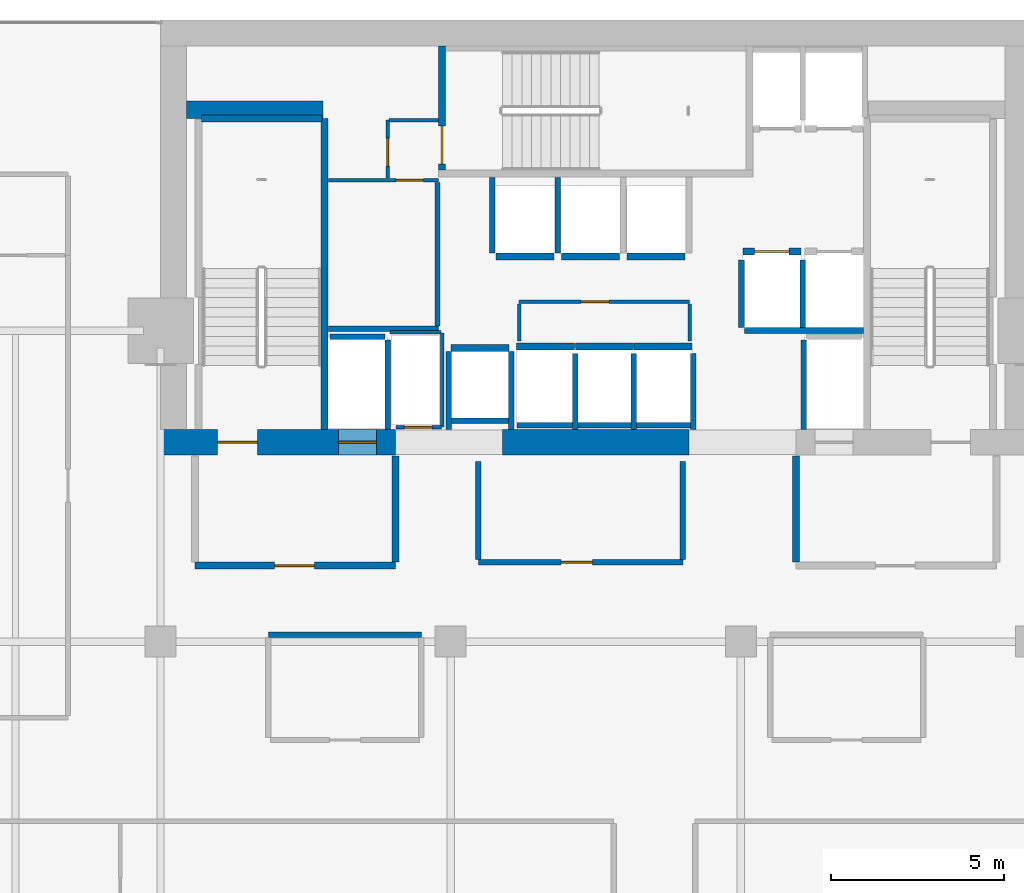
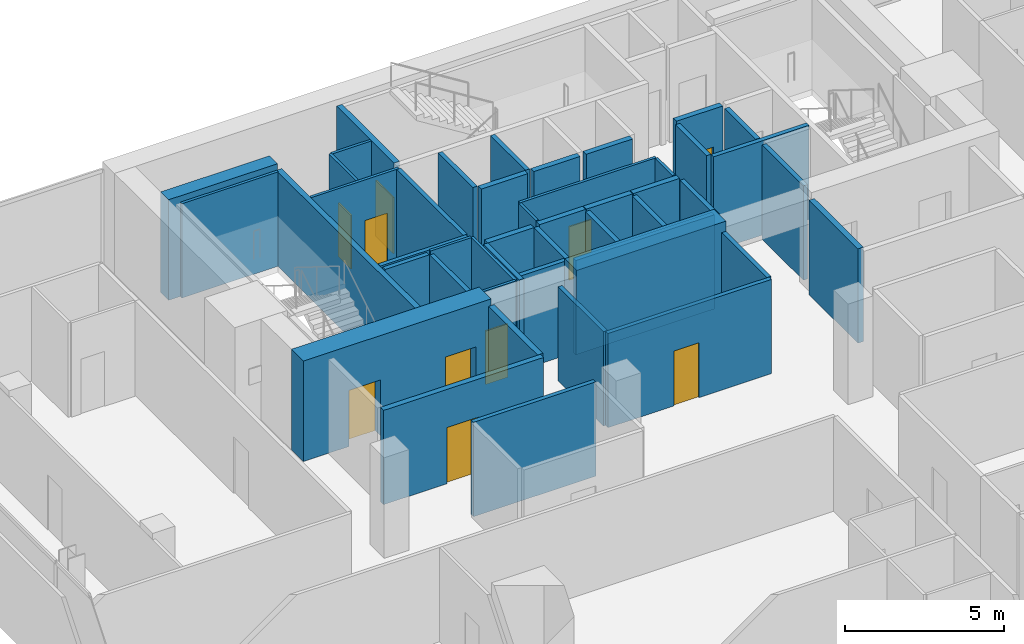
# One storey, part 29 of 33: 47 walls, 10 doors, 10 openings.
"""IFC4 building model written with IfcOpenShell, lengths in metres."""

import ifcopenshell
import ifcopenshell.guid

model = None  # the IFC model being written
_history = None  # IfcOwnerHistory: only IFC2X3 demands one
_inside = {}  # id of a spatial element -> (the spatial element, [elements in it])
_under = {}  # id of a project, library or spatial element -> (it, [spatial elements below it])
_declared = {}  # id of a project -> (the project, [libraries it declares])
_typed = {}  # id of a type object -> (the type object, [elements of that type])
_made_of = {}  # id of a material, layer set ... -> (it, [elements and type objects made of it])


def new_model(schema):
    """Start an empty IFC model of exactly this schema.

    Asked for "IFC4X3", IfcOpenShell would pick the latest addendum, in which some entities
    have other attributes; the version numbers below select the first issue.
    IFC2X3 requires an IfcOwnerHistory on every rooted entity: one is made here for all.
    """
    global model, _history
    if schema == "IFC4X3":
        model = ifcopenshell.file(schema_version=(4, 3, 0, 0))
    else:
        model = ifcopenshell.file(schema=schema)
    _inside.clear()
    _under.clear()
    _declared.clear()
    _typed.clear()
    _made_of.clear()
    _history = None
    if model.schema == "IFC2X3":
        org = make("IfcOrganization", Name="unknown")
        user = make(
            "IfcPersonAndOrganization",
            ThePerson=make("IfcPerson", FamilyName="unknown"),
            TheOrganization=org,
        )
        app = make(
            "IfcApplication",
            ApplicationDeveloper=org,
            Version="unknown",
            ApplicationFullName="unknown",
            ApplicationIdentifier="unknown",
        )
        _history = make(
            "IfcOwnerHistory",
            OwningUser=user,
            OwningApplication=app,
            ChangeAction="ADDED",
            CreationDate=0,
        )
    return model


def make(cls, **values):
    """One entity of the class cls with the attributes given. An attribute that is None is left unset."""
    return model.create_entity(
        cls, **{name: value for name, value in values.items() if value is not None}
    )


def rooted(cls, **values):
    """An entity with a GlobalId (a new one), such as an element, a storey or a relation."""
    return make(cls, GlobalId=ifcopenshell.guid.new(), OwnerHistory=_history, **values)


def si_unit(unit_type, name, prefix=None):
    """IfcSIUnit, for example si_unit("LENGTHUNIT", "METRE", prefix="MILLI")."""
    return make("IfcSIUnit", UnitType=unit_type, Prefix=prefix, Name=name)


def assignment(units):
    """IfcUnitAssignment: the units of a project."""
    return None if units is None else make("IfcUnitAssignment", Units=units)


def point(xyz):
    """IfcCartesianPoint."""
    return None if xyz is None else make("IfcCartesianPoint", Coordinates=xyz)


def direction(xyz):
    """IfcDirection."""
    return None if xyz is None else make("IfcDirection", DirectionRatios=xyz)


def frame(location, z_axis=None, x_axis=None):
    """IfcAxis2Placement3D, a coordinate frame: its origin and axes. An axis left out is left unset."""
    return make(
        "IfcAxis2Placement3D",
        Location=point(location),
        Axis=direction(z_axis),
        RefDirection=direction(x_axis),
    )


def frame_2d(location, x_axis=None):
    """IfcAxis2Placement2D, a coordinate frame in the plane: its origin and x axis."""
    return make(
        "IfcAxis2Placement2D", Location=point(location), RefDirection=direction(x_axis)
    )


def origin():
    """The frame at (0, 0, 0) with its axes left unset."""
    return frame((0.0, 0.0, 0.0))


def place(relative_to, where):
    """IfcLocalPlacement: puts the frame where relative to a parent placement (None: the world)."""
    return make(
        "IfcLocalPlacement", PlacementRelTo=relative_to, RelativePlacement=where
    )


def context(
    kind, dimensions, precision=None, world=None, true_north=None, identifier=None
):
    """IfcGeometricRepresentationContext, for example the 3D "Model" context."""
    return make(
        "IfcGeometricRepresentationContext",
        ContextIdentifier=identifier,
        ContextType=kind,
        CoordinateSpaceDimension=dimensions,
        Precision=precision,
        WorldCoordinateSystem=world,
        TrueNorth=true_north,
    )


def subcontext(parent, identifier, kind, view, scale=None):
    """IfcGeometricRepresentationSubContext, for example "Body" below "Model"."""
    return make(
        "IfcGeometricRepresentationSubContext",
        ContextIdentifier=identifier,
        ContextType=kind,
        ParentContext=parent,
        TargetScale=scale,
        TargetView=view,
    )


def project(units=None, contexts=None):
    """IfcProject with its units and contexts."""
    return rooted(
        "IfcProject",
        Name="project",
        RepresentationContexts=contexts,
        UnitsInContext=assignment(units),
    )


def spatial(cls, under=None, at=None, **own):
    """A site, building, storey or space (cls), placed at a placement, below another one or the project."""
    s = rooted(cls, ObjectPlacement=at, **own)
    if under is not None:
        _under.setdefault(under.id(), (under, []))[1].append(s)
    return s


def profile(cls, at=None, kind="AREA", **sizes):
    """A parametric profile (cls). Its sizes go by their IFC names, for example OverallWidth=200.0."""
    return make(cls, ProfileType=kind, Position=at, **sizes)


def rectangle(**sizes):
    """IfcRectangleProfileDef."""
    return profile("IfcRectangleProfileDef", **sizes)


def extrude(swept, where, along, depth):
    """IfcExtrudedAreaSolid: the profile swept, set in the frame where, extruded along a direction by depth."""
    return make(
        "IfcExtrudedAreaSolid",
        SweptArea=swept,
        Position=where,
        ExtrudedDirection=direction(along),
        Depth=depth,
    )


def shape(context_of_items, identifier, shape_type, items):
    """IfcShapeRepresentation: the items that make up one representation, for example the "Body"."""
    return make(
        "IfcShapeRepresentation",
        ContextOfItems=context_of_items,
        RepresentationIdentifier=identifier,
        RepresentationType=shape_type,
        Items=items,
    )


def material(Name=None, Category=None):
    """IfcMaterial."""
    return make("IfcMaterial", Name=Name, Category=Category)


def layer(
    of_material, thickness, ventilated=None, Name=None, Category=None, Priority=None
):
    """IfcMaterialLayer: one layer of a wall or slab, of a material (None: an air gap)."""
    return make(
        "IfcMaterialLayer",
        Material=of_material,
        LayerThickness=thickness,
        IsVentilated=ventilated,
        Name=Name,
        Category=Category,
        Priority=Priority,
    )


def layer_set(layers, Name=None):
    """IfcMaterialLayerSet."""
    return make("IfcMaterialLayerSet", MaterialLayers=layers, LayerSetName=Name)


def made_of(thing, what):
    """Note that an element or type object is made of a material, layer set ...; save() writes the relation."""
    if what is not None:
        _made_of.setdefault(what.id(), (what, []))[1].append(thing)
    return thing


def type_object(cls, material=None, **own):
    """A type object (cls), such as IfcWallType, which elements share."""
    return made_of(rooted(cls, **own), material)


def element(
    cls,
    number,
    at=None,
    inside=None,
    cuts=None,
    type_object=None,
    material=None,
    context=None,
    identifier="Body",
    shape_type=None,
    held_by="IfcProductDefinitionShape",
    body=None,
    shapes=None,
    **own,
):
    """One element of the class cls, such as IfcWall. Its Tag is "e" and its number.

    at: its placement. inside: the storey or other place that contains it. cuts: it is an
    opening in that element (IfcRelVoidsElement). A single representation is given by context,
    identifier, shape_type and body (its items); several are given by shapes. held_by: the class
    of the entity that holds the representations. save() writes the other relations.
    """
    e = rooted(cls, Tag="e%d" % number, ObjectPlacement=at, **own)
    if body is not None:
        shapes = [shape(context, identifier, shape_type, body)]
    if shapes is not None:
        e.Representation = make(held_by, Representations=shapes)
    if inside is not None:
        _inside.setdefault(inside.id(), (inside, []))[1].append(e)
    if cuts is not None:
        rooted(
            "IfcRelVoidsElement", RelatingBuildingElement=cuts, RelatedOpeningElement=e
        )
    if type_object is not None:
        _typed.setdefault(type_object.id(), (type_object, []))[1].append(e)
    return made_of(e, material)


def fill(opening, filler):
    """IfcRelFillsElement: the door or window that sits in an opening."""
    return rooted(
        "IfcRelFillsElement",
        RelatingOpeningElement=opening,
        RelatedBuildingElement=filler,
    )


def aggregate(whole, parts):
    """IfcRelAggregates: a whole, such as a stair, and the parts it consists of."""
    return rooted("IfcRelAggregates", RelatingObject=whole, RelatedObjects=parts)


def save(model, path):
    """Write the relations noted so far, then the file.

    IfcRelAggregates (storeys below a building ...), IfcRelContainedInSpatialStructure (elements
    in a storey), IfcRelDefinesByType, IfcRelAssociatesMaterial and IfcRelDeclares: one each for
    every whole, place, type object, material and project.
    """
    for whole, parts in _under.values():
        aggregate(whole, parts)
    for where, things in _inside.values():
        rooted(
            "IfcRelContainedInSpatialStructure",
            RelatedElements=things,
            RelatingStructure=where,
        )
    for kind, things in _typed.values():
        rooted("IfcRelDefinesByType", RelatedObjects=things, RelatingType=kind)
    for what, things in _made_of.values():
        rooted("IfcRelAssociatesMaterial", RelatedObjects=things, RelatingMaterial=what)
    for by, libraries in _declared.values():
        rooted("IfcRelDeclares", RelatingContext=by, RelatedDefinitions=libraries)
    model.write(path)


model = new_model("IFC4")

# Units and contexts
model_context = context("Model", 3, precision=1e-05, world=origin(), true_north=direction((0.0, 1.0)))
body_context = subcontext(model_context, "Body", "Model", "MODEL_VIEW")
ifc_project = project(units=[si_unit("LENGTHUNIT", "METRE"), si_unit("AREAUNIT", "SQUARE_METRE"), si_unit("VOLUMEUNIT", "CUBIC_METRE"), si_unit("PLANEANGLEUNIT", "RADIAN"), si_unit("MASSUNIT", "GRAM", prefix="KILO")], contexts=[model_context])

# Site, building, storey
site_placement = place(None, origin())
site = spatial("IfcSite", under=ifc_project, at=site_placement, CompositionType="ELEMENT")
building_placement = place(site_placement, origin())
building = spatial("IfcBuilding", under=site, at=building_placement, Name="Maruvema Waterfront Hotel and Observation Tower", CompositionType="ELEMENT")
storey_placement = place(building_placement, frame((0.0, 0.0, 196.699951171875)))
storey = spatial("IfcBuildingStorey", under=building, at=storey_placement, Name="L48", CompositionType="ELEMENT", Elevation=196.699951171875)

# Walls
ifc_material_1 = material(Name="Twin-stud acoustic gypsum drywall", Category="gypsum")
ifc_layer_1 = layer(ifc_material_1, 0.14990234375, Name="Acoustic Corridor and Suite Demising Wall 150 mm")
ifc_layer_set_1 = layer_set([ifc_layer_1], Name="Twin-stud acoustic gypsum drywall")
wall_type_1 = type_object("IfcWallType", Name="Acoustic Corridor and Suite Demising Wall 150 mm", PredefinedType="PARTITIONING", material=ifc_layer_set_1)
wall_1_placement = place(storey_placement, frame((30.06005859375, 45.06005859375, 0.0), z_axis=(0.0, 0.0, 1.0), x_axis=(1.0, 0.0, 0.0)))
element("IfcWall", 1, at=wall_1_placement, inside=storey, type_object=wall_type_1, Name="L48 Freed B1 South Wall 013", PredefinedType="PARTITIONING", context=body_context, shape_type="SweptSolid", body=[
    extrude(rectangle(XDim=3.179931640625, YDim=0.14990234375, at=frame_2d((1.58984375, 0.0))), origin(), (0.0, 0.0, 1.0), 3.610107421875),
])
wall_2_placement = place(storey_placement, frame((33.219970703125, 45.139892578125, 0.0), z_axis=(0.0, 0.0, 1.0), x_axis=(0.0, 1.0, 0.0)))
element("IfcWall", 2, at=wall_2_placement, inside=storey, type_object=wall_type_1, Name="L48 Freed B1 East Wall 014", PredefinedType="PARTITIONING", context=body_context, shape_type="SweptSolid", body=[
    extrude(rectangle(XDim=4.16015625, YDim=0.14990234375, at=frame_2d((2.080078125, 0.0))), origin(), (0.0, 0.0, 1.0), 3.610107421875),
])

# Wall, opening, door
wall_3_placement = place(storey_placement, frame((34.39990234375, 38.300048828125, 0.0), z_axis=(0.0, 0.0, 1.0), x_axis=(1.0, 0.0, 0.0)))
wall_3 = element("IfcWall", 3, at=wall_3_placement, inside=storey, type_object=wall_type_1, Name="L48 Core Apron K0 South 018", PredefinedType="PARTITIONING", context=body_context, shape_type="SweptSolid", body=[
    extrude(rectangle(XDim=5.920166015625, YDim=0.14990234375, at=frame_2d((2.9599609375, 0.0))), origin(), (0.0, 0.0, 1.0), 3.610107421875),
])
opening_1_placement = place(wall_3_placement, frame((2.39990234375, 0.0, 0.0)))
opening_1 = element("IfcOpeningElement", 4, at=opening_1_placement, cuts=wall_3, Name="Opening DR-090", PredefinedType="OPENING", context=body_context, shape_type="SweptSolid", body=[
    extrude(rectangle(XDim=0.89990234375, YDim=2.10009765625, at=frame_2d((0.449951171875, 1.050048828125))), frame((0.0, 0.0849609375, 0.0), z_axis=(0.0, -1.0, 0.0), x_axis=(1.0, 0.0, 0.0)), (0.0, 0.0, 1.0), 0.169921875),
])
ifc_material_2 = material(Name="Solid-core lacquered timber leaf", Category="wood")
door_type_1 = type_object("IfcDoorType", Name="Accessible Toilet and Room Door 900x2100 mm", OperationType="NOTDEFINED", PredefinedType="DOOR", material=ifc_material_2)
door_1_placement = place(opening_1_placement, frame((0.89990234375, 0.0, 0.0), z_axis=(0.0, 0.0, 1.0), x_axis=(-1.0, 0.0, 0.0)))
door_1 = element("IfcDoor", 5, at=door_1_placement, inside=storey, type_object=door_type_1, Name="L48 Core Valet Room Door", OperationType="SINGLE_SWING_LEFT", OverallHeight=2.10009765625, OverallWidth=0.89990234375, PredefinedType="DOOR", context=body_context, shape_type="SweptSolid", body=[
    extrude(rectangle(XDim=0.89990234375, YDim=2.10009765625, at=frame_2d((0.449951171875, 1.050048828125))), frame((0.0, 0.02490234375, 0.0), z_axis=(0.0, -1.0, 0.0), x_axis=(1.0, 0.0, 0.0)), (0.0, 0.0, 1.0), 0.050048828125),
])
fill(opening_1, door_1)

# Walls
for number, where, z_axis, x_axis, name in (
    (6, (34.39990234375, 38.3798828125, 0.0), (0.0, 0.0, 1.0), (0.0, 1.0, 0.0), "L48 Core Apron K0 West 019"),
    (7, (40.320068359375, 38.3798828125, 0.0), (0.0, 0.0, 1.0), (0.0, 1.0, 0.0), "L48 Core Apron K0 East 020"),
):
    element("IfcWall", number, at=place(storey_placement, frame(where, z_axis=z_axis, x_axis=x_axis)), inside=storey, type_object=wall_type_1, Name=name, PredefinedType="PARTITIONING", context=body_context, shape_type="SweptSolid", body=[
        extrude(rectangle(XDim=2.840087890625, YDim=0.14990234375, at=frame_2d((1.419921875, 0.0))), origin(), (0.0, 0.0, 1.0), 3.610107421875),
    ])
wall_4_placement = place(storey_placement, frame((28.320068359375, 36.199951171875, 0.0), z_axis=(0.0, 0.0, 1.0), x_axis=(1.0, 0.0, 0.0)))
element("IfcWall", 8, at=wall_4_placement, inside=storey, type_object=wall_type_1, Name="L48 L48-M1 Back Wall 021", PredefinedType="PARTITIONING", context=body_context, shape_type="SweptSolid", body=[
    extrude(rectangle(XDim=4.429931640625, YDim=0.14990234375, at=frame_2d((2.21484375, 0.0))), origin(), (0.0, 0.0, 1.0), 3.610107421875),
])
ifc_material_3 = material(Name="Precast concrete C45/55", Category="concrete")
ifc_layer_2 = layer(ifc_material_3, 0.199951171875, Name="Core Shaft and Stairwell Enclosure Wall 200 mm")
ifc_layer_set_2 = layer_set([ifc_layer_2], Name="Precast concrete C45/55")
wall_type_2 = type_object("IfcWallType", Name="Core Shaft and Stairwell Enclosure Wall 200 mm", PredefinedType="SOLIDWALL", material=ifc_layer_set_2)
wall_5_placement = place(storey_placement, frame((29.949951171875, 42.14990234375, 0.0), z_axis=(0.0, 0.0, 1.0), x_axis=(0.0, 1.0, 0.0)))
element("IfcWall", 9, at=wall_5_placement, inside=storey, type_object=wall_type_2, Name="L48 Stairwell ST-01 East Shaft Wall", PredefinedType="SOLIDWALL", context=body_context, shape_type="SweptSolid", body=[
    extrude(rectangle(XDim=9.0, YDim=0.199951171875, at=frame_2d((4.5, 0.0))), origin(), (0.0, 0.0, 1.0), 3.610107421875),
])
wall_6_placement = place(storey_placement, frame((26.3798828125, 51.14990234375, 0.0), z_axis=(0.0, 0.0, 1.0), x_axis=(1.0, 0.0, 0.0)))
element("IfcWall", 10, at=wall_6_placement, inside=storey, type_object=wall_type_2, Name="L48 Stairwell ST-01 Shaft Lining Wall", PredefinedType="SOLIDWALL", context=body_context, shape_type="SweptSolid", body=[
    extrude(rectangle(XDim=3.5, YDim=0.199951171875, at=frame_2d((1.75, 0.0))), origin(), (0.0, 0.0, 1.0), 3.610107421875),
])

# Wall, opening, door
wall_7_placement = place(storey_placement, frame((33.35009765625, 49.64990234375, 0.0), z_axis=(0.0, 0.0, 1.0), x_axis=(0.0, 1.0, 0.0)))
wall_7 = element("IfcWall", 11, at=wall_7_placement, inside=storey, type_object=wall_type_2, Name="L48 Stairwell ST-02 Shaft Wall", PredefinedType="SOLIDWALL", context=body_context, shape_type="SweptSolid", body=[
    extrude(rectangle(XDim=3.60009765625, YDim=0.199951171875, at=frame_2d((1.800048828125, 0.0))), origin(), (0.0, 0.0, 1.0), 3.610107421875),
])
opening_2_placement = place(wall_7_placement, frame((0.179931640625, 0.0, 0.0)))
opening_2 = element("IfcOpeningElement", 12, at=opening_2_placement, cuts=wall_7, Name="Opening SD-02", PredefinedType="OPENING", context=body_context, shape_type="SweptSolid", body=[
    extrude(rectangle(XDim=1.10009765625, YDim=2.14990234375, at=frame_2d((0.550048828125, 1.074951171875))), frame((0.0, 0.10986328125, 0.0), z_axis=(0.0, -1.0, 0.0), x_axis=(1.0, 0.0, 0.0)), (0.0, 0.0, 1.0), 0.219970703125),
])
ifc_material_4 = material(Name="Fire-rated galvanised steel leaf", Category="steel")
door_type_2 = type_object("IfcDoorType", Name="Central Exit Stair Fire Door 1100x2150 mm", OperationType="NOTDEFINED", PredefinedType="DOOR", material=ifc_material_4)
door_2_placement = place(opening_2_placement, frame((1.10009765625, 0.0, 0.0), z_axis=(0.0, 0.0, 1.0), x_axis=(-1.0, 0.0, 0.0)))
door_2 = element("IfcDoor", 13, at=door_2_placement, inside=storey, type_object=door_type_2, Name="L48 Exit Stair ST-02 Fire Door", OperationType="SINGLE_SWING_LEFT", OverallHeight=2.14990234375, OverallWidth=1.10009765625, PredefinedType="DOOR", context=body_context, shape_type="SweptSolid", body=[
    extrude(rectangle(XDim=1.10009765625, YDim=2.14990234375, at=frame_2d((0.550048828125, 1.074951171875))), frame((0.0, 0.02490234375, 0.0), z_axis=(0.0, -1.0, 0.0), x_axis=(1.0, 0.0, 0.0)), (0.0, 0.0, 1.0), 0.050048828125),
])
fill(opening_2, door_2)

wall_8_placement = place(storey_placement, frame((42.06005859375, 47.300048828125, 0.0), z_axis=(0.0, 0.0, 1.0), x_axis=(1.0, 0.0, 0.0)))
wall_8 = element("IfcWall", 14, at=wall_8_placement, inside=storey, type_object=wall_type_2, Name="L48 Lift LF-05 Hoistway Front Wall", PredefinedType="SOLIDWALL", context=body_context, shape_type="SweptSolid", body=[
    extrude(rectangle(XDim=1.679931640625, YDim=0.199951171875, at=frame_2d((0.83984375, 0.0))), origin(), (0.0, 0.0, 1.0), 3.610107421875),
])
opening_3_placement = place(wall_8_placement, frame((0.340087890625, 0.0, 0.0)))
opening_3 = element("IfcOpeningElement", 15, at=opening_3_placement, cuts=wall_8, Name="Opening LD-01", PredefinedType="OPENING", context=body_context, shape_type="SweptSolid", body=[
    extrude(rectangle(XDim=1.0, YDim=2.14990234375, at=frame_2d((0.5, 1.074951171875))), frame((0.0, 0.10986328125, 0.0), z_axis=(0.0, -1.0, 0.0), x_axis=(1.0, 0.0, 0.0)), (0.0, 0.0, 1.0), 0.219970703125),
])
ifc_material_5 = material(Name="Brushed stainless steel Grade 316", Category="steel")
door_type_3 = type_object("IfcDoorType", Name="Passenger Lift Sliding Landing Door 1000x2150 mm", OperationType="SLIDING_TO_LEFT", PredefinedType="DOOR", material=ifc_material_5)
door_3_placement = place(opening_3_placement, origin())
door_3 = element("IfcDoor", 16, at=door_3_placement, inside=storey, type_object=door_type_3, Name="L48 Lift LF-05 Sliding Landing Door", OperationType="SLIDING_TO_LEFT", OverallHeight=2.14990234375, OverallWidth=1.0, PredefinedType="DOOR", context=body_context, shape_type="SweptSolid", body=[
    extrude(rectangle(XDim=1.0, YDim=2.14990234375, at=frame_2d((0.5, 1.074951171875))), frame((0.0, 0.02490234375, 0.0), z_axis=(0.0, -1.0, 0.0), x_axis=(1.0, 0.0, 0.0)), (0.0, 0.0, 1.0), 0.050048828125),
])
fill(opening_3, door_3)

# Walls
for number, where, z_axis, x_axis, name in (
    (17, (35.510009765625, 44.550048828125, 0.0), (0.0, 0.0, 1.0), (1.0, 0.0, 0.0), "L48 Lift LF-09 Hoistway Front Wall"),
    (18, (37.2099609375, 44.550048828125, 0.0), (0.0, 0.0, 1.0), (1.0, 0.0, 0.0), "L48 Lift LF-10 Hoistway Front Wall"),
):
    element("IfcWall", number, at=place(storey_placement, frame(where, z_axis=z_axis, x_axis=x_axis)), inside=storey, type_object=wall_type_2, Name=name, PredefinedType="SOLIDWALL", context=body_context, shape_type="SweptSolid", body=[
        extrude(rectangle(XDim=1.679931640625, YDim=0.199951171875, at=frame_2d((0.83984375, 0.0))), origin(), (0.0, 0.0, 1.0), 3.610107421875),
    ])
for number, where, z_axis, x_axis, name in (
    (19, (38.909912109375, 44.550048828125, 0.0), (0.0, 0.0, 1.0), (1.0, 0.0, 0.0), "L48 Lift LF-11 Hoistway Front Wall"),
    (20, (34.909912109375, 47.14990234375, 0.0), (0.0, 0.0, 1.0), (1.0, 0.0, 0.0), "L48 Lift LF-12 Hoistway Front Wall"),
):
    element("IfcWall", number, at=place(storey_placement, frame(where, z_axis=z_axis, x_axis=x_axis)), inside=storey, type_object=wall_type_2, Name=name, PredefinedType="SOLIDWALL", context=body_context, shape_type="SweptSolid", body=[
        extrude(rectangle(XDim=1.68017578125, YDim=0.199951171875, at=frame_2d((0.840087890625, 0.0))), origin(), (0.0, 0.0, 1.0), 3.610107421875),
    ])
for number, where, z_axis, x_axis, name in (
    (21, (36.81005859375, 47.14990234375, 0.0), (0.0, 0.0, 1.0), (1.0, 0.0, 0.0), "L48 Lift LF-13 Hoistway Front Wall"),
    (22, (38.7099609375, 47.14990234375, 0.0), (0.0, 0.0, 1.0), (1.0, 0.0, 0.0), "L48 Lift LF-14 Hoistway Front Wall"),
    (23, (33.610107421875, 44.5, 0.0), (0.0, 0.0, 1.0), (1.0, 0.0, 0.0), "L48 Lift LF-15 Hoistway Front Wall"),
):
    element("IfcWall", number, at=place(storey_placement, frame(where, z_axis=z_axis, x_axis=x_axis)), inside=storey, type_object=wall_type_2, Name=name, PredefinedType="SOLIDWALL", context=body_context, shape_type="SweptSolid", body=[
        extrude(rectangle(XDim=1.679931640625, YDim=0.199951171875, at=frame_2d((0.83984375, 0.0))), origin(), (0.0, 0.0, 1.0), 3.610107421875),
    ])
ifc_material_6 = material(Name="Concrete C70/85", Category="concrete")
ifc_layer_3 = layer(ifc_material_6, 0.5, Name="Core Shear Wall 500 mm")
ifc_layer_set_3 = layer_set([ifc_layer_3], Name="Concrete C70/85")
wall_type_3 = type_object("IfcWallType", Name="Core Shear Wall 500 mm", PredefinedType="SHEAR", material=ifc_layer_set_3)
wall_9_placement = place(storey_placement, frame((25.949951171875, 51.39990234375, 0.0), z_axis=(0.0, 0.0, 1.0), x_axis=(1.0, 0.0, 0.0)))
element("IfcWall", 24, at=wall_9_placement, inside=storey, type_object=wall_type_3, Name="L48 Internal Core Shear Wall NW 500 mm", PredefinedType="SHEAR", context=body_context, shape_type="SweptSolid", body=[
    extrude(rectangle(XDim=3.949951171875, YDim=0.5, at=frame_2d((1.97509765625, 0.0))), origin(), (0.0, 0.0, 1.0), 3.85009765625),
])

# Wall, openings, doors
ifc_material_7 = material(Name="Concrete C70/85", Category="concrete")
ifc_layer_4 = layer(ifc_material_7, 0.75, Name="Core Shear Wall 750 mm")
ifc_layer_set_4 = layer_set([ifc_layer_4], Name="Concrete C70/85")
wall_type_4 = type_object("IfcWallType", Name="Core Shear Wall 750 mm", PredefinedType="SHEAR", material=ifc_layer_set_4)
wall_10_placement = place(storey_placement, frame((25.199951171875, 41.77490234375, 0.0), z_axis=(0.0, 0.0, 1.0), x_axis=(1.0, 0.0, 0.0)))
wall_10 = element("IfcWall", 25, at=wall_10_placement, inside=storey, type_object=wall_type_4, Name="L48 South-West Core Shear Wall", PredefinedType="SHEAR", context=body_context, shape_type="SweptSolid", body=[
    extrude(rectangle(XDim=6.800048828125, YDim=0.75, at=frame_2d((3.39990234375, 0.0))), origin(), (0.0, 0.0, 1.0), 3.85009765625),
])
opening_4_placement = place(wall_10_placement, frame((1.64990234375, 0.0, 0.0)))
opening_4 = element("IfcOpeningElement", 26, at=opening_4_placement, cuts=wall_10, Name="Opening SD-01", PredefinedType="OPENING", context=body_context, shape_type="SweptSolid", body=[
    extrude(rectangle(XDim=1.14990234375, YDim=2.14990234375, at=frame_2d((0.574951171875, 1.074951171875))), frame((0.0, 0.385009765625, 0.0), z_axis=(0.0, -1.0, 0.0), x_axis=(1.0, 0.0, 0.0)), (0.0, 0.0, 1.0), 0.77001953125),
])
opening_5_placement = place(wall_10_placement, frame((5.14990234375, 0.0, 0.0)))
opening_5 = element("IfcOpeningElement", 27, at=opening_5_placement, cuts=wall_10, Name="Opening LD-03", PredefinedType="OPENING", context=body_context, shape_type="SweptSolid", body=[
    extrude(rectangle(XDim=1.10009765625, YDim=2.199951171875, at=frame_2d((0.550048828125, 1.10009765625))), frame((0.0, 0.385009765625, 0.0), z_axis=(0.0, -1.0, 0.0), x_axis=(1.0, 0.0, 0.0)), (0.0, 0.0, 1.0), 0.77001953125),
])
ifc_material_8 = material(Name="Fire-rated galvanised steel leaf", Category="steel")
door_type_4 = type_object("IfcDoorType", Name="Exit Stair Fire Door 1150x2150 mm", OperationType="NOTDEFINED", PredefinedType="DOOR", material=ifc_material_8)
door_4_placement = place(opening_4_placement, origin())
door_4 = element("IfcDoor", 28, at=door_4_placement, inside=storey, type_object=door_type_4, Name="L48 Exit Stair ST-01 Fire Door", OperationType="SINGLE_SWING_LEFT", OverallHeight=2.14990234375, OverallWidth=1.14990234375, PredefinedType="DOOR", context=body_context, shape_type="SweptSolid", body=[
    extrude(rectangle(XDim=1.14990234375, YDim=2.14990234375, at=frame_2d((0.574951171875, 1.074951171875))), frame((0.0, 0.02490234375, 0.0), z_axis=(0.0, -1.0, 0.0), x_axis=(1.0, 0.0, 0.0)), (0.0, 0.0, 1.0), 0.050048828125),
])
fill(opening_4, door_4)
ifc_material_9 = material(Name="Brushed stainless steel Grade 316", Category="steel")
door_type_5 = type_object("IfcDoorType", Name="Firefighting Lift Sliding Landing Door 1100x2200 mm", OperationType="SLIDING_TO_LEFT", PredefinedType="DOOR", material=ifc_material_9)
door_5_placement = place(opening_5_placement, frame((1.10009765625, 0.0, 0.0), z_axis=(0.0, 0.0, 1.0), x_axis=(-1.0, 0.0, 0.0)))
door_5 = element("IfcDoor", 29, at=door_5_placement, inside=storey, type_object=door_type_5, Name="L48 Firefighting Lift FL-01 Landing Door", OperationType="SLIDING_TO_LEFT", OverallHeight=2.199951171875, OverallWidth=1.10009765625, PredefinedType="DOOR", context=body_context, shape_type="SweptSolid", body=[
    extrude(rectangle(XDim=1.10009765625, YDim=2.199951171875, at=frame_2d((0.550048828125, 1.10009765625))), frame((0.0, 0.02490234375, 0.0), z_axis=(0.0, -1.0, 0.0), x_axis=(1.0, 0.0, 0.0)), (0.0, 0.0, 1.0), 0.050048828125),
])
fill(opening_5, door_5)

# Wall
wall_11_placement = place(storey_placement, frame((35.10009765625, 41.77490234375, 0.0), z_axis=(0.0, 0.0, 1.0), x_axis=(1.0, 0.0, 0.0)))
element("IfcWall", 30, at=wall_11_placement, inside=storey, type_object=wall_type_4, Name="L48 South-Central Core Shear Wall", PredefinedType="SHEAR", context=body_context, shape_type="SweptSolid", body=[
    extrude(rectangle(XDim=5.39990234375, YDim=0.75, at=frame_2d((2.699951171875, 0.0))), origin(), (0.0, 0.0, 1.0), 3.85009765625),
])

# Wall, opening, door
ifc_material_10 = material(Name="Moisture-resistant cement-board drywall", Category="gypsum")
ifc_layer_5 = layer(ifc_material_10, 0.10009765625, Name="En-Suite Moisture-Resistant Partition 100 mm")
ifc_layer_set_5 = layer_set([ifc_layer_5], Name="Moisture-resistant cement-board drywall")
wall_type_5 = type_object("IfcWallType", Name="En-Suite Moisture-Resistant Partition 100 mm", PredefinedType="PARTITIONING", material=ifc_layer_set_5)
wall_12_placement = place(storey_placement, frame((32.02001953125, 42.2099609375, 0.0), z_axis=(0.0, 0.0, 1.0), x_axis=(1.0, 0.0, 0.0)))
wall_12 = element("IfcWall", 31, at=wall_12_placement, inside=storey, type_object=wall_type_5, Name="L48 Telecom Riser South Wall 007", PredefinedType="PARTITIONING", context=body_context, shape_type="SweptSolid", body=[
    extrude(rectangle(XDim=1.320068359375, YDim=0.10009765625, at=frame_2d((0.66015625, 0.0))), origin(), (0.0, 0.0, 1.0), 3.610107421875),
])
opening_6_placement = place(wall_12_placement, frame((0.239990234375, 0.0, 0.0)))
opening_6 = element("IfcOpeningElement", 32, at=opening_6_placement, cuts=wall_12, Name="Opening DR-080", PredefinedType="OPENING", context=body_context, shape_type="SweptSolid", body=[
    extrude(rectangle(XDim=0.800048828125, YDim=2.050048828125, at=frame_2d((0.39990234375, 1.02490234375))), frame((0.0, 0.06005859375, 0.0), z_axis=(0.0, -1.0, 0.0), x_axis=(1.0, 0.0, 0.0)), (0.0, 0.0, 1.0), 0.1201171875),
])
ifc_material_11 = material(Name="Powder-coated steel access leaf", Category="steel")
door_type_6 = type_object("IfcDoorType", Name="Riser and Service Cupboard Door 800x2050 mm", OperationType="NOTDEFINED", PredefinedType="DOOR", material=ifc_material_11)
door_6_placement = place(opening_6_placement, frame((0.800048828125, 0.0, 0.0), z_axis=(0.0, 0.0, 1.0), x_axis=(-1.0, 0.0, 0.0)))
door_6 = element("IfcDoor", 33, at=door_6_placement, inside=storey, type_object=door_type_6, Name="L48 Telecom Riser Door", OperationType="SINGLE_SWING_LEFT", OverallHeight=2.050048828125, OverallWidth=0.800048828125, PredefinedType="DOOR", context=body_context, shape_type="SweptSolid", body=[
    extrude(rectangle(XDim=0.800048828125, YDim=2.050048828125, at=frame_2d((0.39990234375, 1.02490234375))), frame((0.0, 0.02490234375, 0.0), z_axis=(0.0, -1.0, 0.0), x_axis=(1.0, 0.0, 0.0)), (0.0, 0.0, 1.0), 0.050048828125),
])
fill(opening_6, door_6)

# Walls
wall_13_placement = place(storey_placement, frame((31.840087890625, 44.9599609375, 0.0), z_axis=(0.0, 0.0, 1.0), x_axis=(1.0, 0.0, 0.0)))
element("IfcWall", 34, at=wall_13_placement, inside=storey, type_object=wall_type_5, Name="L48 Telecom Riser North Wall 008", PredefinedType="PARTITIONING", context=body_context, shape_type="SweptSolid", body=[
    extrude(rectangle(XDim=1.47998046875, YDim=0.10009765625, at=frame_2d((0.739990234375, 0.0))), origin(), (0.0, 0.0, 1.0), 3.610107421875),
])
wall_14_placement = place(storey_placement, frame((33.360107421875, 42.2099609375, 0.0), z_axis=(0.0, 0.0, 1.0), x_axis=(0.0, 1.0, 0.0)))
element("IfcWall", 35, at=wall_14_placement, inside=storey, type_object=wall_type_5, Name="L48 Telecom Riser East Wall 009", PredefinedType="PARTITIONING", context=body_context, shape_type="SweptSolid", body=[
    extrude(rectangle(XDim=2.72998046875, YDim=0.10009765625, at=frame_2d((1.364990234375, 0.0))), origin(), (0.0, 0.0, 1.0), 3.610107421875),
])

# Wall, opening, door
wall_15_placement = place(storey_placement, frame((35.580078125, 45.840087890625, 0.0), z_axis=(0.0, 0.0, 1.0), x_axis=(1.0, 0.0, 0.0)))
wall_15 = element("IfcWall", 36, at=wall_15_placement, inside=storey, type_object=wall_type_5, Name="L48 Core Closet K0 North 010", PredefinedType="PARTITIONING", context=body_context, shape_type="SweptSolid", body=[
    extrude(rectangle(XDim=4.93994140625, YDim=0.10009765625, at=frame_2d((2.469970703125, 0.0))), origin(), (0.0, 0.0, 1.0), 3.610107421875),
])
opening_7_placement = place(wall_15_placement, frame((1.800048828125, 0.0, 0.0)))
opening_7 = element("IfcOpeningElement", 37, at=opening_7_placement, cuts=wall_15, Name="Opening DR-080", PredefinedType="OPENING", context=body_context, shape_type="SweptSolid", body=[
    extrude(rectangle(XDim=0.800048828125, YDim=2.050048828125, at=frame_2d((0.39990234375, 1.02490234375))), frame((0.0, 0.06005859375, 0.0), z_axis=(0.0, -1.0, 0.0), x_axis=(1.0, 0.0, 0.0)), (0.0, 0.0, 1.0), 0.1201171875),
])
door_7_placement = place(opening_7_placement, origin())
door_7 = element("IfcDoor", 38, at=door_7_placement, inside=storey, type_object=door_type_6, Name="L48 Core Electrical Closet Door", OperationType="SINGLE_SWING_RIGHT", OverallHeight=2.050048828125, OverallWidth=0.800048828125, PredefinedType="DOOR", context=body_context, shape_type="SweptSolid", body=[
    extrude(rectangle(XDim=0.800048828125, YDim=2.050048828125, at=frame_2d((0.39990234375, 1.02490234375))), frame((0.0, 0.02490234375, 0.0), z_axis=(0.0, -1.0, 0.0), x_axis=(1.0, 0.0, 0.0)), (0.0, 0.0, 1.0), 0.050048828125),
])
fill(opening_7, door_7)

# Walls
for number, where, z_axis, x_axis, name in (
    (39, (35.580078125, 44.699951171875, 0.0), (0.0, 0.0, 1.0), (0.0, 1.0, 0.0), "L48 Core Closet K0 West 011"),
    (40, (40.52001953125, 44.699951171875, 0.0), (0.0, 0.0, 1.0), (0.0, 1.0, 0.0), "L48 Core Closet K0 East 012"),
):
    element("IfcWall", number, at=place(storey_placement, frame(where, z_axis=z_axis, x_axis=x_axis)), inside=storey, type_object=wall_type_5, Name=name, PredefinedType="PARTITIONING", context=body_context, shape_type="SweptSolid", body=[
        extrude(rectangle(XDim=1.080078125, YDim=0.10009765625, at=frame_2d((0.5400390625, 0.0))), origin(), (0.0, 0.0, 1.0), 3.610107421875),
    ])

# Wall, opening, door
wall_16_placement = place(storey_placement, frame((30.06005859375, 49.360107421875, 0.0), z_axis=(0.0, 0.0, 1.0), x_axis=(1.0, 0.0, 0.0)))
wall_16 = element("IfcWall", 41, at=wall_16_placement, inside=storey, type_object=wall_type_5, Name="L48 Freed B1 Mid Wall 015", PredefinedType="PARTITIONING", context=body_context, shape_type="SweptSolid", body=[
    extrude(rectangle(XDim=3.179931640625, YDim=0.10009765625, at=frame_2d((1.58984375, 0.0))), origin(), (0.0, 0.0, 1.0), 3.610107421875),
])
opening_8_placement = place(wall_16_placement, frame((1.949951171875, 0.0, 0.0)))
opening_8 = element("IfcOpeningElement", 42, at=opening_8_placement, cuts=wall_16, Name="Opening DR-080", PredefinedType="OPENING", context=body_context, shape_type="SweptSolid", body=[
    extrude(rectangle(XDim=0.800048828125, YDim=2.050048828125, at=frame_2d((0.39990234375, 1.02490234375))), frame((0.0, 0.06005859375, 0.0), z_axis=(0.0, -1.0, 0.0), x_axis=(1.0, 0.0, 0.0)), (0.0, 0.0, 1.0), 0.1201171875),
])
door_8_placement = place(opening_8_placement, origin())
door_8 = element("IfcDoor", 43, at=door_8_placement, inside=storey, type_object=door_type_6, Name="L48 Housekeeping and Linen Room Door", OperationType="SINGLE_SWING_LEFT", OverallHeight=2.050048828125, OverallWidth=0.800048828125, PredefinedType="DOOR", context=body_context, shape_type="SweptSolid", body=[
    extrude(rectangle(XDim=0.800048828125, YDim=2.050048828125, at=frame_2d((0.39990234375, 1.02490234375))), frame((0.0, 0.02490234375, 0.0), z_axis=(0.0, -1.0, 0.0), x_axis=(1.0, 0.0, 0.0)), (0.0, 0.0, 1.0), 0.050048828125),
])
fill(opening_8, door_8)

wall_17_placement = place(storey_placement, frame((31.780029296875, 49.419921875, 0.0), z_axis=(0.0, 0.0, 1.0), x_axis=(0.0, 1.0, 0.0)))
wall_17 = element("IfcWall", 44, at=wall_17_placement, inside=storey, type_object=wall_type_5, Name="L48 Freed B1 NW East Wall 016", PredefinedType="PARTITIONING", context=body_context, shape_type="SweptSolid", body=[
    extrude(rectangle(XDim=1.68017578125, YDim=0.10009765625, at=frame_2d((0.840087890625, 0.0))), origin(), (0.0, 0.0, 1.0), 3.610107421875),
])
opening_9_placement = place(wall_17_placement, frame((0.35009765625, 0.0, 0.0)))
opening_9 = element("IfcOpeningElement", 45, at=opening_9_placement, cuts=wall_17, Name="Opening DR-080", PredefinedType="OPENING", context=body_context, shape_type="SweptSolid", body=[
    extrude(rectangle(XDim=0.800048828125, YDim=2.050048828125, at=frame_2d((0.39990234375, 1.02490234375))), frame((0.0, 0.06005859375, 0.0), z_axis=(0.0, -1.0, 0.0), x_axis=(1.0, 0.0, 0.0)), (0.0, 0.0, 1.0), 0.1201171875),
])
door_9_placement = place(opening_9_placement, origin())
door_9 = element("IfcDoor", 46, at=door_9_placement, inside=storey, type_object=door_type_6, Name="L48 Guest Floor Pantry Door", OperationType="SINGLE_SWING_RIGHT", OverallHeight=2.050048828125, OverallWidth=0.800048828125, PredefinedType="DOOR", context=body_context, shape_type="SweptSolid", body=[
    extrude(rectangle(XDim=0.800048828125, YDim=2.050048828125, at=frame_2d((0.39990234375, 1.02490234375))), frame((0.0, 0.02490234375, 0.0), z_axis=(0.0, -1.0, 0.0), x_axis=(1.0, 0.0, 0.0)), (0.0, 0.0, 1.0), 0.050048828125),
])
fill(opening_9, door_9)

# Wall
wall_18_placement = place(storey_placement, frame((31.820068359375, 51.10009765625, 0.0), z_axis=(0.0, 0.0, 1.0), x_axis=(1.0, 0.0, 0.0)))
element("IfcWall", 47, at=wall_18_placement, inside=storey, type_object=wall_type_5, Name="L48 Freed B1 Vestibule North Wall 017", PredefinedType="PARTITIONING", context=body_context, shape_type="SweptSolid", body=[
    extrude(rectangle(XDim=1.419921875, YDim=0.10009765625, at=frame_2d((0.7099609375, 0.0))), origin(), (0.0, 0.0, 1.0), 3.610107421875),
])

# Wall, opening, door
ifc_material_12 = material(Name="Autoclaved cellular concrete blockwork", Category="masonry")
ifc_layer_6 = layer(ifc_material_12, 0.199951171875, Name="Fire Compartment Masonry Wall 200 mm")
ifc_layer_set_6 = layer_set([ifc_layer_6], Name="Autoclaved cellular concrete blockwork")
wall_type_6 = type_object("IfcWallType", Name="Fire Compartment Masonry Wall 200 mm", PredefinedType="PARTITIONING", material=ifc_layer_set_6)
wall_19_placement = place(storey_placement, frame((26.199951171875, 38.199951171875, 0.0), z_axis=(0.0, 0.0, 1.0), x_axis=(1.0, 0.0, 0.0)))
wall_19 = element("IfcWall", 48, at=wall_19_placement, inside=storey, type_object=wall_type_6, Name="L48 FFL West South Wall 001", PredefinedType="PARTITIONING", context=body_context, shape_type="SweptSolid", body=[
    extrude(rectangle(XDim=5.800048828125, YDim=0.199951171875, at=frame_2d((2.89990234375, 0.0))), origin(), (0.0, 0.0, 1.0), 3.610107421875),
])
opening_10_placement = place(wall_19_placement, frame((2.300048828125, 0.0, 0.0)))
opening_10 = element("IfcOpeningElement", 49, at=opening_10_placement, cuts=wall_19, Name="Opening FD-115", PredefinedType="OPENING", context=body_context, shape_type="SweptSolid", body=[
    extrude(rectangle(XDim=1.14990234375, YDim=2.14990234375, at=frame_2d((0.574951171875, 1.074951171875))), frame((0.0, 0.10986328125, 0.0), z_axis=(0.0, -1.0, 0.0), x_axis=(1.0, 0.0, 0.0)), (0.0, 0.0, 1.0), 0.219970703125),
])
ifc_material_13 = material(Name="Fire-rated galvanised steel and vision glass", Category="steel")
door_type_7 = type_object("IfcDoorType", Name="Firefighting Lobby Fire Door 1150x2150 mm", OperationType="NOTDEFINED", PredefinedType="DOOR", material=ifc_material_13)
door_10_placement = place(opening_10_placement, frame((1.14990234375, 0.0, 0.0), z_axis=(0.0, 0.0, 1.0), x_axis=(-1.0, 0.0, 0.0)))
door_10 = element("IfcDoor", 50, at=door_10_placement, inside=storey, type_object=door_type_7, Name="L48 Firefighting Lobby West Door", OperationType="SINGLE_SWING_LEFT", OverallHeight=2.14990234375, OverallWidth=1.14990234375, PredefinedType="DOOR", context=body_context, shape_type="SweptSolid", body=[
    extrude(rectangle(XDim=1.14990234375, YDim=2.14990234375, at=frame_2d((0.574951171875, 1.074951171875))), frame((0.0, 0.02490234375, 0.0), z_axis=(0.0, -1.0, 0.0), x_axis=(1.0, 0.0, 0.0)), (0.0, 0.0, 1.0), 0.050048828125),
])
fill(opening_10, door_10)

# Walls
for number, where, z_axis, x_axis, name in (
    (51, (32.0, 38.31005859375, 0.0), (0.0, 0.0, 1.0), (0.0, 1.0, 0.0), "L48 FFL West East Wall 003"),
    (52, (43.60009765625, 38.31005859375, 0.0), (0.0, 0.0, 1.0), (0.0, 1.0, 0.0), "L48 FFL East West Wall 005"),
):
    element("IfcWall", number, at=place(storey_placement, frame(where, z_axis=z_axis, x_axis=x_axis)), inside=storey, type_object=wall_type_6, Name=name, PredefinedType="PARTITIONING", context=body_context, shape_type="SweptSolid", body=[
        extrude(rectangle(XDim=3.06982421875, YDim=0.199951171875, at=frame_2d((1.534912109375, 0.0))), origin(), (0.0, 0.0, 1.0), 3.610107421875),
    ])
ifc_material_14 = material(Name="Precast concrete C45/55", Category="concrete")
ifc_layer_7 = layer(ifc_material_14, 0.159912109375, Name="Lift Hoistway Divider Wall 160 mm")
ifc_layer_set_7 = layer_set([ifc_layer_7], Name="Precast concrete C45/55")
wall_type_7 = type_object("IfcWallType", Name="Lift Hoistway Divider Wall 160 mm", PredefinedType="SOLIDWALL", material=ifc_layer_set_7)
wall_20_placement = place(storey_placement, frame((30.10009765625, 44.830078125, 0.0), z_axis=(0.0, 0.0, 1.0), x_axis=(1.0, 0.0, 0.0)))
element("IfcWall", 53, at=wall_20_placement, inside=storey, type_object=wall_type_7, Name="L48 Lift FL-01 Rear Hoistway Wall", PredefinedType="SOLIDWALL", context=body_context, shape_type="SweptSolid", body=[
    extrude(rectangle(XDim=1.599853515625, YDim=0.159912109375, at=frame_2d((0.7998046875, 0.0))), origin(), (0.0, 0.0, 1.0), 3.610107421875),
])
for number, where, z_axis, x_axis, name in (
    (54, (31.780029296875, 42.14990234375, 0.0), (0.0, 0.0, 1.0), (0.0, 1.0, 0.0), "L48 Lift FL-01 Inner Hoistway Wall"),
    (55, (43.820068359375, 42.14990234375, 0.0), (0.0, 0.0, 1.0), (0.0, 1.0, 0.0), "L48 Lift FL-02 Inner Hoistway Wall"),
):
    element("IfcWall", number, at=place(storey_placement, frame(where, z_axis=z_axis, x_axis=x_axis)), inside=storey, type_object=wall_type_7, Name=name, PredefinedType="SOLIDWALL", context=body_context, shape_type="SweptSolid", body=[
        extrude(rectangle(XDim=2.590087890625, YDim=0.159912109375, at=frame_2d((1.294921875, 0.0))), origin(), (0.0, 0.0, 1.0), 3.610107421875),
    ])
for number, where, z_axis, x_axis, name in (
    (56, (42.02001953125, 45.10009765625, 0.0), (0.0, 0.0, 1.0), (0.0, 1.0, 0.0), "L48 Hoistway Divider Wall"),
    (57, (43.800048828125, 45.10009765625, 0.0), (0.0, 0.0, 1.0), (0.0, 1.0, 0.0), "L48 Hoistway Divider Wall"),
):
    element("IfcWall", number, at=place(storey_placement, frame(where, z_axis=z_axis, x_axis=x_axis)), inside=storey, type_object=wall_type_7, Name=name, PredefinedType="SOLIDWALL", context=body_context, shape_type="SweptSolid", body=[
        extrude(rectangle(XDim=1.949951171875, YDim=0.159912109375, at=frame_2d((0.97509765625, 0.0))), origin(), (0.0, 0.0, 1.0), 3.610107421875),
    ])
wall_21_placement = place(storey_placement, frame((42.10009765625, 45.010009765625, 0.0), z_axis=(0.0, 0.0, 1.0), x_axis=(1.0, 0.0, 0.0)))
element("IfcWall", 58, at=wall_21_placement, inside=storey, type_object=wall_type_7, Name="L48 Hoistway Divider Wall", PredefinedType="SOLIDWALL", context=body_context, shape_type="SweptSolid", body=[
    extrude(rectangle(XDim=3.449951171875, YDim=0.159912109375, at=frame_2d((1.72509765625, 0.0))), origin(), (0.0, 0.0, 1.0), 3.610107421875),
])
for number, where, z_axis, x_axis, name in (
    (59, (37.199951171875, 42.14990234375, 0.0), (0.0, 0.0, 1.0), (0.0, 1.0, 0.0), "L48 Hoistway Divider Wall"),
    (60, (38.89990234375, 42.14990234375, 0.0), (0.0, 0.0, 1.0), (0.0, 1.0, 0.0), "L48 Hoistway Divider Wall"),
    (61, (40.6201171875, 42.14990234375, 0.0), (0.0, 0.0, 1.0), (0.0, 1.0, 0.0), "L48 Hoistway Divider Wall"),
):
    element("IfcWall", number, at=place(storey_placement, frame(where, z_axis=z_axis, x_axis=x_axis)), inside=storey, type_object=wall_type_7, Name=name, PredefinedType="SOLIDWALL", context=body_context, shape_type="SweptSolid", body=[
        extrude(rectangle(XDim=2.2001953125, YDim=0.159912109375, at=frame_2d((1.10009765625, 0.0))), origin(), (0.0, 0.0, 1.0), 3.610107421875),
    ])
wall_22_placement = place(storey_placement, frame((35.52001953125, 42.260009765625, 0.0), z_axis=(0.0, 0.0, 1.0), x_axis=(1.0, 0.0, 0.0)))
element("IfcWall", 62, at=wall_22_placement, inside=storey, type_object=wall_type_7, Name="L48 Hoistway Divider Wall", PredefinedType="SOLIDWALL", context=body_context, shape_type="SweptSolid", body=[
    extrude(rectangle(XDim=5.02001953125, YDim=0.159912109375, at=frame_2d((2.510009765625, 0.0))), origin(), (0.0, 0.0, 1.0), 3.610107421875),
])
for number, where, z_axis, x_axis, name in (
    (63, (34.800048828125, 47.25, 0.0), (0.0, 0.0, 1.0), (0.0, 1.0, 0.0), "L48 Hoistway Divider Wall"),
    (64, (36.699951171875, 47.25, 0.0), (0.0, 0.0, 1.0), (0.0, 1.0, 0.0), "L48 Hoistway Divider Wall"),
):
    element("IfcWall", number, at=place(storey_placement, frame(where, z_axis=z_axis, x_axis=x_axis)), inside=storey, type_object=wall_type_7, Name=name, PredefinedType="SOLIDWALL", context=body_context, shape_type="SweptSolid", body=[
        extrude(rectangle(XDim=2.18994140625, YDim=0.159912109375, at=frame_2d((1.094970703125, 0.0))), origin(), (0.0, 0.0, 1.0), 3.610107421875),
    ])
for number, where, z_axis, x_axis, name in (
    (65, (33.5400390625, 42.14990234375, 0.0), (0.0, 0.0, 1.0), (0.0, 1.0, 0.0), "L48 Hoistway Divider Wall"),
    (66, (35.360107421875, 42.14990234375, 0.0), (0.0, 0.0, 1.0), (0.0, 1.0, 0.0), "L48 Hoistway Divider Wall"),
):
    element("IfcWall", number, at=place(storey_placement, frame(where, z_axis=z_axis, x_axis=x_axis)), inside=storey, type_object=wall_type_7, Name=name, PredefinedType="SOLIDWALL", context=body_context, shape_type="SweptSolid", body=[
        extrude(rectangle(XDim=2.25, YDim=0.159912109375, at=frame_2d((1.125, 0.0))), origin(), (0.0, 0.0, 1.0), 3.610107421875),
    ])
wall_23_placement = place(storey_placement, frame((33.6201171875, 42.39990234375, 0.0), z_axis=(0.0, 0.0, 1.0), x_axis=(1.0, 0.0, 0.0)))
element("IfcWall", 67, at=wall_23_placement, inside=storey, type_object=wall_type_7, Name="L48 Hoistway Divider Wall", PredefinedType="SOLIDWALL", context=body_context, shape_type="SweptSolid", body=[
    extrude(rectangle(XDim=1.659912109375, YDim=0.159912109375, at=frame_2d((0.830078125, 0.0))), origin(), (0.0, 0.0, 1.0), 3.610107421875),
])

save(model, "model.ifc")
